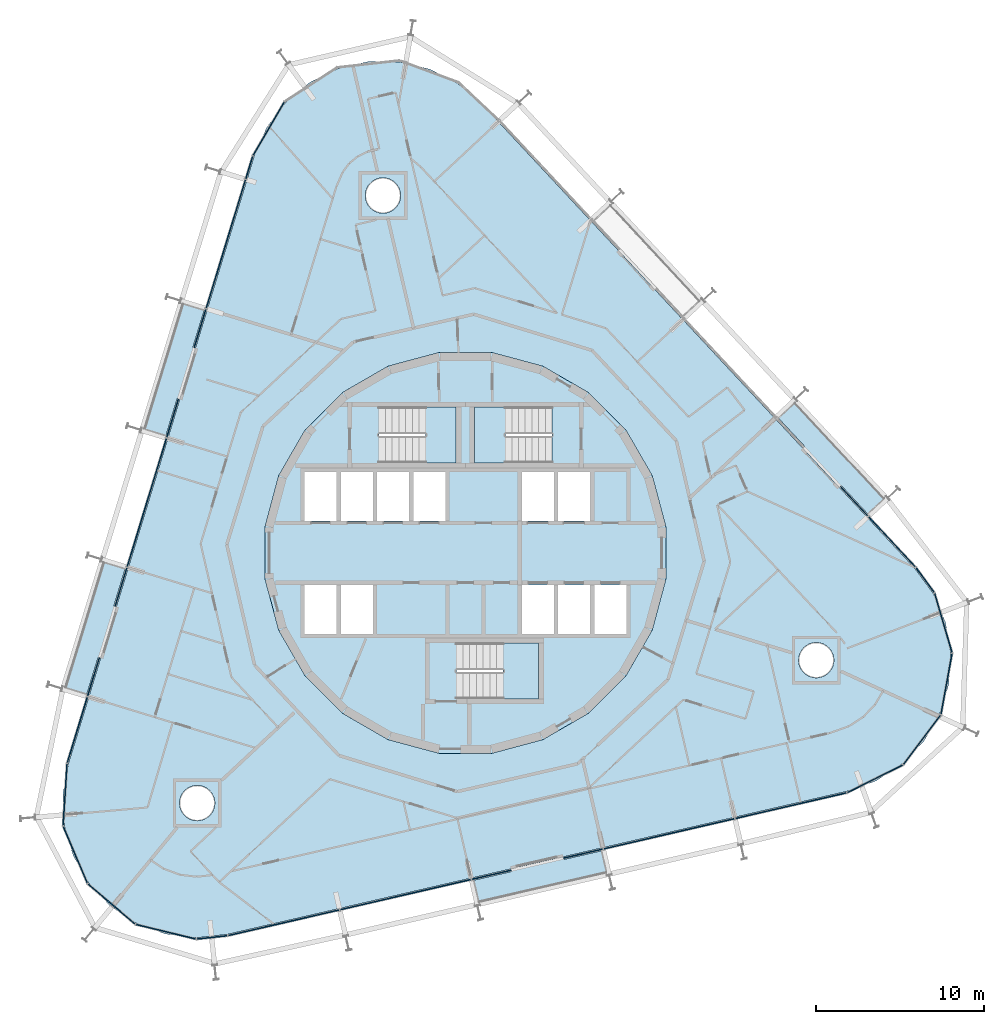
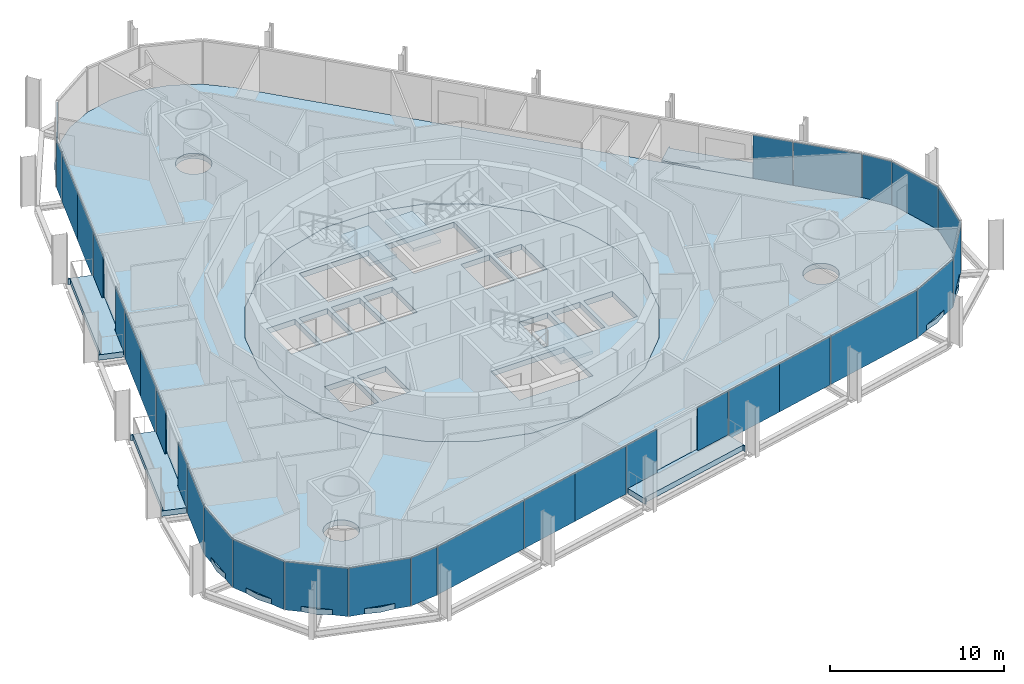
# One storey, part 10 of 18: 31 plates, 9 slabs, 9 elements without a shape of their own.
"""IFC4 building model written with IfcOpenShell, lengths in metres."""

from ifc_helpers import new_model, si_unit, direction, frame, origin, origin_2d, place, context, subcontext, project, spatial, polyline, rectangle, outline, extrude, material, layer, layer_set, type_object, element, aggregate, save


model = new_model("IFC4")

# Units and contexts
model_context = context("Model", 3, precision=1e-05, world=origin(), true_north=direction((0.0, 1.0)))
body_context = subcontext(model_context, "Body", "Model", "MODEL_VIEW")
ifc_project = project(units=[si_unit("LENGTHUNIT", "METRE"), si_unit("AREAUNIT", "SQUARE_METRE"), si_unit("VOLUMEUNIT", "CUBIC_METRE"), si_unit("PLANEANGLEUNIT", "RADIAN"), si_unit("MASSUNIT", "GRAM", prefix="KILO")], contexts=[model_context])

# Site, building, storey
site_placement = place(None, origin())
site = spatial("IfcSite", under=ifc_project, at=site_placement, CompositionType="ELEMENT")
building_placement = place(site_placement, origin())
building = spatial("IfcBuilding", under=site, at=building_placement, Name="Spindle Arch Residences", CompositionType="ELEMENT")
storey_placement = place(building_placement, frame((0.0, 0.0, 123.89990234375)))
storey = spatial("IfcBuildingStorey", under=building, at=storey_placement, Name="L30", CompositionType="ELEMENT", Elevation=123.89990234375)

# Slabs
ifc_material_1 = material(Name="Concrete C40/50", Category="concrete")
ifc_layer_1 = layer(ifc_material_1, 0.3798828125)
ifc_layer_set_1 = layer_set([ifc_layer_1], Name="Balcony slab 380")
slab_type_1 = type_object("IfcSlabType", Name="Balcony slab 380", PredefinedType="FLOOR", material=ifc_layer_set_1)
slab_1_placement = place(storey_placement, frame((0.0, 0.0, -0.3798828125)))
element("IfcSlab", 1, at=slab_1_placement, inside=storey, type_object=slab_type_1, Name="Balcony L30 bay 6", PredefinedType="FLOOR", context=body_context, shape_type="SweptSolid", body=[
    extrude(outline(polyline([(25.0107421875, 3.298095703125), (24.95947265625, 3.35302734375), (24.849853515625, 3.250732421875), (19.57861328125, 8.9033203125), (19.688232421875, 9.005615234375), (19.636962890625, 9.060546875), (18.54736328125, 8.04443359375), (20.142822265625, 6.333251953125), (20.02587890625, 6.22412109375), (22.208251953125, 3.8837890625), (22.325439453125, 3.992919921875), (23.9208984375, 2.281982421875), (25.0107421875, 3.298095703125)])), origin(), (0.0, 0.0, 1.0), 0.3798828125),
])
slab_2_placement = place(storey_placement, frame((0.0, 0.0, -0.3798828125)))
element("IfcSlab", 2, at=slab_2_placement, inside=storey, type_object=slab_type_1, Name="Balcony L30 bay 14", PredefinedType="FLOOR", context=body_context, shape_type="SweptSolid", body=[
    extrude(outline(polyline([(-16.926513671875, 14.891845703125), (-16.948486328125, 14.820068359375), (-16.804931640625, 14.7763671875), (-19.064697265625, 7.385009765625), (-19.208251953125, 7.4287109375), (-19.230224609375, 7.35693359375), (-17.80517578125, 6.92138671875), (-17.121337890625, 9.15869140625), (-16.96826171875, 9.112060546875), (-16.03271484375, 12.172119140625), (-16.185791015625, 12.218994140625), (-15.501708984375, 14.456298828125), (-16.926513671875, 14.891845703125)])), origin(), (0.0, 0.0, 1.0), 0.3798828125),
])
slab_3_placement = place(storey_placement, frame((0.0, 0.0, -0.3798828125)))
element("IfcSlab", 3, at=slab_3_placement, inside=storey, type_object=slab_type_1, Name="Balcony L30 bay 16", PredefinedType="FLOOR", context=body_context, shape_type="SweptSolid", body=[
    extrude(outline(polyline([(-21.62158203125, -0.46484375), (-21.6435546875, -0.536376953125), (-21.5, -0.580322265625), (-23.759765625, -7.9716796875), (-23.9033203125, -7.927978515625), (-23.92529296875, -7.999755859375), (-22.500244140625, -8.435302734375), (-21.816162109375, -6.197998046875), (-21.663330078125, -6.24462890625), (-20.727783203125, -3.1845703125), (-20.880615234375, -3.1376953125), (-20.196533203125, -0.900390625), (-21.62158203125, -0.46484375)])), origin(), (0.0, 0.0, 1.0), 0.3798828125),
])
slab_4_placement = place(storey_placement, frame((0.0, 0.0, -0.3798828125)))
element("IfcSlab", 4, at=slab_4_placement, inside=storey, type_object=slab_type_1, Name="Balcony L30 bay 22", PredefinedType="FLOOR", context=body_context, shape_type="SweptSolid", body=[
    extrude(outline(polyline([(0.781982421875, -20.900634765625), (0.855224609375, -20.8837890625), (0.821533203125, -20.737548828125), (8.3525390625, -18.9990234375), (8.38623046875, -19.14501953125), (8.459228515625, -19.128173828125), (8.1240234375, -17.676513671875), (5.844482421875, -18.20263671875), (5.80859375, -18.046875), (2.6904296875, -18.7666015625), (2.7265625, -18.922607421875), (0.447021484375, -19.44873046875), (0.781982421875, -20.900634765625)])), origin(), (0.0, 0.0, 1.0), 0.3798828125),
])
ifc_material_2 = material(Name="Concrete C50/60", Category="concrete")
ifc_layer_2 = layer(ifc_material_2, 0.3798828125)
ifc_layer_set_2 = layer_set([ifc_layer_2], Name="Core floor slab 380")
slab_type_2 = type_object("IfcSlabType", Name="Core floor slab 380", PredefinedType="FLOOR", material=ifc_layer_set_2)
slab_5_placement = place(storey_placement, frame((0.0, 0.0, -0.3798828125)))
element("IfcSlab", 5, at=slab_5_placement, inside=storey, type_object=slab_type_2, Name="Core floor L30", PredefinedType="FLOOR", context=body_context, shape_type="SweptSolid", body=[
    extrude(outline(polyline([(1.56640625, -11.897216796875), (4.59228515625, -11.086669921875), (7.30517578125, -9.520263671875), (9.520263671875, -7.30517578125), (11.086669921875, -4.59228515625), (11.897216796875, -1.56640625), (11.897216796875, 1.56640625), (11.086669921875, 4.59228515625), (9.520263671875, 7.30517578125), (7.30517578125, 9.520263671875), (4.59228515625, 11.086669921875), (1.56640625, 11.897216796875), (-1.56640625, 11.897216796875), (-4.59228515625, 11.086669921875), (-7.30517578125, 9.520263671875), (-9.520263671875, 7.30517578125), (-11.086669921875, 4.59228515625), (-11.897216796875, 1.56640625), (-11.897216796875, -1.56640625), (-11.086669921875, -4.59228515625), (-9.520263671875, -7.30517578125), (-7.30517578125, -9.520263671875), (-4.59228515625, -11.086669921875), (-1.56640625, -11.897216796875), (1.56640625, -11.897216796875)]), holes=[polyline([(-9.550048828125, 1.89990234375), (-7.64990234375, 1.89990234375), (-7.64990234375, 4.800048828125), (-9.550048828125, 4.800048828125), (-9.550048828125, 1.89990234375)]), polyline([(-7.39990234375, 1.89990234375), (-5.5, 1.89990234375), (-5.5, 4.800048828125), (-7.39990234375, 4.800048828125), (-7.39990234375, 1.89990234375)]), polyline([(-5.25, 1.89990234375), (-3.35009765625, 1.89990234375), (-3.35009765625, 4.800048828125), (-5.25, 4.800048828125), (-5.25, 1.89990234375)]), polyline([(-3.10009765625, 1.89990234375), (-1.199951171875, 1.89990234375), (-1.199951171875, 4.800048828125), (-3.10009765625, 4.800048828125), (-3.10009765625, 1.89990234375)]), polyline([(3.35009765625, 1.89990234375), (5.25, 1.89990234375), (5.25, 4.800048828125), (3.35009765625, 4.800048828125), (3.35009765625, 1.89990234375)]), polyline([(5.5, 1.89990234375), (7.39990234375, 1.89990234375), (7.39990234375, 4.800048828125), (5.5, 4.800048828125), (5.5, 1.89990234375)]), polyline([(-9.550048828125, -4.800048828125), (-7.64990234375, -4.800048828125), (-7.64990234375, -1.89990234375), (-9.550048828125, -1.89990234375), (-9.550048828125, -4.800048828125)]), polyline([(-7.39990234375, -4.800048828125), (-5.5, -4.800048828125), (-5.5, -1.89990234375), (-7.39990234375, -1.89990234375), (-7.39990234375, -4.800048828125)]), polyline([(3.35009765625, -4.800048828125), (5.25, -4.800048828125), (5.25, -1.89990234375), (3.35009765625, -1.89990234375), (3.35009765625, -4.800048828125)]), polyline([(5.5, -4.800048828125), (7.39990234375, -4.800048828125), (7.39990234375, -1.89990234375), (5.5, -1.89990234375), (5.5, -4.800048828125)]), polyline([(7.64990234375, -4.800048828125), (9.550048828125, -4.800048828125), (9.550048828125, -1.89990234375), (7.64990234375, -1.89990234375), (7.64990234375, -4.800048828125)]), polyline([(5.1298828125, 8.669921875), (0.550048828125, 8.669921875), (0.550048828125, 5.35009765625), (5.1298828125, 5.35009765625), (5.1298828125, 8.669921875)]), polyline([(-5.1298828125, 5.35009765625), (-0.550048828125, 5.35009765625), (-0.550048828125, 8.669921875), (-5.1298828125, 8.669921875), (-5.1298828125, 5.35009765625)]), polyline([(-0.530029296875, -8.669921875), (4.35009765625, -8.669921875), (4.35009765625, -5.35009765625), (-0.530029296875, -5.35009765625), (-0.530029296875, -8.669921875)])]), origin(), (0.0, 0.0, 1.0), 0.3798828125),
])

# Stair, slab
ifc_material_3 = material(Name="Concrete C50/60", Category="concrete")
stair_type = type_object("IfcStairType", Name="Exit stair 16 risers", PredefinedType="HALF_TURN_STAIR", material=ifc_material_3)
stair_1_placement = place(storey_placement, origin())
stair_1 = element("IfcStair", 6, at=stair_1_placement, inside=storey, type_object=stair_type, Name="L30 Exit stair ST1", PredefinedType="HALF_TURN_STAIR")
ifc_material_4 = material(Name="Concrete C50/60", Category="concrete")
ifc_layer_3 = layer(ifc_material_4, 0.219970703125)
ifc_layer_set_3 = layer_set([ifc_layer_3], Name="Exit stair landing 220")
slab_type_3 = type_object("IfcSlabType", Name="Exit stair landing 220", PredefinedType="LANDING", material=ifc_layer_set_3)
slab_6_placement = place(storey_placement, frame((0.0, 0.0, 1.530029296875)))
slab_6 = element("IfcSlab", 7, at=slab_6_placement, type_object=slab_type_3, Name="ST1 landing 1", PredefinedType="LANDING", context=body_context, shape_type="SweptSolid", body=[
    extrude(outline(polyline([(2.3701171875, 8.669921875), (0.550048828125, 8.669921875), (0.550048828125, 5.35009765625), (2.3701171875, 5.35009765625), (2.3701171875, 8.669921875)])), origin(), (0.0, 0.0, 1.0), 0.219970703125),
])
aggregate(stair_1, [slab_6])

stair_2_placement = place(storey_placement, origin())
stair_2 = element("IfcStair", 8, at=stair_2_placement, inside=storey, type_object=stair_type, Name="L30 Exit stair ST2", PredefinedType="HALF_TURN_STAIR")
slab_7_placement = place(storey_placement, frame((0.0, 0.0, 1.530029296875)))
slab_7 = element("IfcSlab", 9, at=slab_7_placement, type_object=slab_type_3, Name="ST2 landing 1", PredefinedType="LANDING", context=body_context, shape_type="SweptSolid", body=[
    extrude(outline(polyline([(-2.3701171875, 5.35009765625), (-0.550048828125, 5.35009765625), (-0.550048828125, 8.669921875), (-2.3701171875, 8.669921875), (-2.3701171875, 5.35009765625)])), origin(), (0.0, 0.0, 1.0), 0.219970703125),
])
aggregate(stair_2, [slab_7])

stair_3_placement = place(storey_placement, origin())
stair_3 = element("IfcStair", 10, at=stair_3_placement, inside=storey, type_object=stair_type, Name="L30 Exit stair ST3", PredefinedType="HALF_TURN_STAIR")
slab_8_placement = place(storey_placement, frame((0.0, 0.0, 1.530029296875)))
slab_8 = element("IfcSlab", 11, at=slab_8_placement, type_object=slab_type_3, Name="ST3 landing 1", PredefinedType="LANDING", context=body_context, shape_type="SweptSolid", body=[
    extrude(outline(polyline([(2.22998046875, -8.669921875), (4.35009765625, -8.669921875), (4.35009765625, -5.35009765625), (2.22998046875, -5.35009765625), (2.22998046875, -8.669921875)])), origin(), (0.0, 0.0, 1.0), 0.219970703125),
])
aggregate(stair_3, [slab_8])

# Slab
ifc_material_5 = material(Name="Concrete C40/50", Category="concrete")
ifc_layer_4 = layer(ifc_material_5, 0.3798828125)
ifc_layer_set_4 = layer_set([ifc_layer_4], Name="Floor slab 380")
slab_type_4 = type_object("IfcSlabType", Name="Floor slab 380", PredefinedType="FLOOR", material=ifc_layer_set_4)
slab_9_placement = place(storey_placement, frame((0.0, 0.0, -0.3798828125)))
element("IfcSlab", 12, at=slab_9_placement, inside=storey, type_object=slab_type_4, Name="Floor slab L30", PredefinedType="FLOOR", context=body_context, shape_type="SweptSolid", body=[
    extrude(outline(polyline([(-15.976806640625, -22.85498046875), (-17.8203125, -22.628662109375), (-19.56201171875, -21.983154296875), (-21.108154296875, -20.95361328125), (-22.375, -19.594970703125), (-23.294189453125, -17.98095703125), (-23.816650390625, -16.198486328125), (-23.913818359375, -14.343505859375), (-23.58056640625, -12.51611328125), (-12.55029296875, 23.5625), (-11.8046875, 25.263916015625), (-10.686767578125, 26.747314453125), (-9.257080078125, 27.932861328125), (-7.59228515625, 28.7568359375), (-5.7822265625, 29.1748046875), (-3.9248046875, 29.163818359375), (-2.1201171875, 28.72509765625), (-0.465087890625, 27.881591796875), (0.950927734375, 26.679443359375), (26.680908203125, -0.912353515625), (27.781494140625, -2.40869140625), (28.507080078125, -4.11865234375), (28.819091796875, -5.94970703125), (28.7001953125, -7.803466796875), (28.1572265625, -9.57958984375), (27.218994140625, -11.182861328125), (25.9365234375, -12.526611328125), (24.37890625, -13.5380859375), (22.629638671875, -14.163330078125), (4.24951171875, -18.40673828125), (-14.130615234375, -22.650146484375), (-15.976806640625, -22.85498046875)]), holes=[polyline([(7.30517578125, -9.520263671875), (9.520263671875, -7.30517578125), (11.086669921875, -4.59228515625), (11.897216796875, -1.56640625), (11.897216796875, 1.56640625), (11.086669921875, 4.59228515625), (9.520263671875, 7.30517578125), (7.30517578125, 9.520263671875), (4.59228515625, 11.086669921875), (1.56640625, 11.897216796875), (-1.56640625, 11.897216796875), (-4.59228515625, 11.086669921875), (-7.30517578125, 9.520263671875), (-9.520263671875, 7.30517578125), (-11.086669921875, 4.59228515625), (-11.897216796875, 1.56640625), (-11.897216796875, -1.56640625), (-11.086669921875, -4.59228515625), (-9.520263671875, -7.30517578125), (-7.30517578125, -9.520263671875), (-4.59228515625, -11.086669921875), (-1.56640625, -11.897216796875), (1.56640625, -11.897216796875), (4.59228515625, -11.086669921875), (7.30517578125, -9.520263671875)]), polyline([(-15.187744140625, -15.59765625), (-15.05712890625, -15.4384765625), (-14.960205078125, -15.257080078125), (-14.900390625, -15.06005859375), (-14.880126953125, -14.855224609375), (-14.900390625, -14.650390625), (-14.960205078125, -14.453369140625), (-15.05712890625, -14.27197265625), (-15.187744140625, -14.11279296875), (-15.346923828125, -13.982177734375), (-15.5283203125, -13.885009765625), (-15.725341796875, -13.825439453125), (-15.93017578125, -13.80517578125), (-16.135009765625, -13.825439453125), (-16.33203125, -13.885009765625), (-16.513427734375, -13.982177734375), (-16.672607421875, -14.11279296875), (-16.80322265625, -14.27197265625), (-16.900390625, -14.453369140625), (-16.9599609375, -14.650390625), (-16.980224609375, -14.855224609375), (-16.9599609375, -15.06005859375), (-16.900390625, -15.257080078125), (-16.80322265625, -15.4384765625), (-16.672607421875, -15.59765625), (-16.513427734375, -15.728271484375), (-16.33203125, -15.8251953125), (-16.135009765625, -15.885009765625), (-15.93017578125, -15.9052734375), (-15.725341796875, -15.885009765625), (-15.5283203125, -15.8251953125), (-15.346923828125, -15.728271484375), (-15.187744140625, -15.59765625)]), polyline([(-4.02685546875, 20.64013671875), (-3.9296875, 20.82177734375), (-3.8701171875, 21.018798828125), (-3.849853515625, 21.223388671875), (-3.8701171875, 21.42822265625), (-3.9296875, 21.625244140625), (-4.02685546875, 21.806884765625), (-4.1572265625, 21.966064453125), (-4.31640625, 22.096435546875), (-4.498046875, 22.193603515625), (-4.695068359375, 22.25341796875), (-4.89990234375, 22.2734375), (-5.1044921875, 22.25341796875), (-5.301513671875, 22.193603515625), (-5.483154296875, 22.096435546875), (-5.642333984375, 21.966064453125), (-5.772705078125, 21.806884765625), (-5.869873046875, 21.625244140625), (-5.9296875, 21.42822265625), (-5.94970703125, 21.223388671875), (-5.9296875, 21.018798828125), (-5.869873046875, 20.82177734375), (-5.772705078125, 20.64013671875), (-5.642333984375, 20.48095703125), (-5.483154296875, 20.3505859375), (-5.301513671875, 20.25341796875), (-5.1044921875, 20.193603515625), (-4.89990234375, 20.173583984375), (-4.695068359375, 20.193603515625), (-4.498046875, 20.25341796875), (-4.31640625, 20.3505859375), (-4.1572265625, 20.48095703125), (-4.02685546875, 20.64013671875)]), polyline([(21.702880859375, -6.95166015625), (21.800048828125, -6.770263671875), (21.85986328125, -6.5732421875), (21.8798828125, -6.368408203125), (21.85986328125, -6.16357421875), (21.800048828125, -5.966552734375), (21.702880859375, -5.78515625), (21.572509765625, -5.6259765625), (21.413330078125, -5.495361328125), (21.231689453125, -5.398193359375), (21.034912109375, -5.338623046875), (20.830078125, -5.318359375), (20.625244140625, -5.338623046875), (20.42822265625, -5.398193359375), (20.24658203125, -5.495361328125), (20.08740234375, -5.6259765625), (19.95703125, -5.78515625), (19.85986328125, -5.966552734375), (19.80029296875, -6.16357421875), (19.780029296875, -6.368408203125), (19.80029296875, -6.5732421875), (19.85986328125, -6.770263671875), (19.95703125, -6.95166015625), (20.08740234375, -7.11083984375), (20.24658203125, -7.241455078125), (20.42822265625, -7.33837890625), (20.625244140625, -7.398193359375), (20.830078125, -7.41845703125), (21.034912109375, -7.398193359375), (21.231689453125, -7.33837890625), (21.413330078125, -7.241455078125), (21.572509765625, -7.11083984375), (21.702880859375, -6.95166015625)])]), origin(), (0.0, 0.0, 1.0), 0.3798828125),
])

# Curtain wall, plates
ifc_material_6 = material(Name="Aluminium bronze unitised frame with tinted glass", Category="aluminium")
ifc_layer_5 = layer(ifc_material_6, 0.159912109375)
ifc_layer_set_5 = layer_set([ifc_layer_5], Name="CW-D corner wall on the fillet arcs")
curtain_wall_type_1 = type_object("IfcCurtainWallType", Name="CW-D corner wall on the fillet arcs", PredefinedType="NOTDEFINED", material=ifc_layer_set_5)
curtain_wall_1_placement = place(storey_placement, origin())
curtain_wall_1 = element("IfcCurtainWall", 13, at=curtain_wall_1_placement, inside=storey, type_object=curtain_wall_type_1, Name="CW-D L30 run 1", PredefinedType="NOTDEFINED")
ifc_material_7 = material(Name="Tinted double glazing over aluminium faced non-combustible spandrel zone (K0)", Category="aluminium")
ifc_layer_6 = layer(ifc_material_7, 0.06005859375)
ifc_layer_set_6 = layer_set([ifc_layer_6], Name="Unitised glass panel with E 60 spandrel zone")
plate_type = type_object("IfcPlateType", Name="Unitised glass panel with E 60 spandrel zone", PredefinedType="CURTAIN_PANEL", material=ifc_layer_set_6)
plate_1_placement = place(storey_placement, frame((19.3251953125, -15.00830078125, -0.3798828125), z_axis=(0.0, 0.0, 1.0), x_axis=(0.974370064785, 0.224951054344, 0.0)))
plate_1 = element("IfcPlate", 14, at=plate_1_placement, type_object=plate_type, Name="CW-D unit 00", PredefinedType="CURTAIN_PANEL", context=body_context, shape_type="SweptSolid", body=[
    extrude(rectangle(XDim=6.759765625, YDim=0.06005859375, at=origin_2d()), origin(), (0.0, 0.0, 1.0), 3.3798828125),
])
plate_2_placement = place(storey_placement, frame((24.317626953125, -13.414794921875, -0.3798828125), z_axis=(0.0, 0.0, 1.0), x_axis=(0.896228507614, 0.443592675931, 0.0)))
plate_2 = element("IfcPlate", 15, at=plate_2_placement, type_object=plate_type, Name="CW-D unit 01", PredefinedType="CURTAIN_PANEL", context=body_context, shape_type="SweptSolid", body=[
    extrude(rectangle(XDim=3.666748046875, YDim=0.06005859375, at=origin_2d()), origin(), (0.0, 0.0, 1.0), 3.3798828125),
])
plate_3_placement = place(storey_placement, frame((27.109130859375, -11.099853515625, -0.3798828125), z_axis=(0.0, 0.0, 1.0), x_axis=(0.601815021814, 0.798635511056, 0.0)))
plate_3 = element("IfcPlate", 16, at=plate_3_placement, type_object=plate_type, Name="CW-D unit 02", PredefinedType="CURTAIN_PANEL", context=body_context, shape_type="SweptSolid", body=[
    extrude(rectangle(XDim=3.666748046875, YDim=0.06005859375, at=origin_2d()), origin(), (0.0, 0.0, 1.0), 3.3798828125),
])
plate_4_placement = place(storey_placement, frame((28.564697265625, -7.778564453125, -0.3798828125), z_axis=(0.0, 0.0, 1.0), x_axis=(0.17937458782, 0.983780848179, 0.0)))
plate_4 = element("IfcPlate", 17, at=plate_4_placement, type_object=plate_type, Name="CW-D unit 03", PredefinedType="CURTAIN_PANEL", context=body_context, shape_type="SweptSolid", body=[
    extrude(rectangle(XDim=3.666748046875, YDim=0.06005859375, at=origin_2d()), origin(), (0.0, 0.0, 1.0), 3.3798828125),
])
plate_5_placement = place(storey_placement, frame((28.375, -4.1572265625, -0.3798828125), z_axis=(0.0, 0.0, 1.0), x_axis=(-0.281225052549, 0.959641844554, 0.0)))
plate_5 = element("IfcPlate", 18, at=plate_5_placement, type_object=plate_type, Name="CW-D unit 04", PredefinedType="CURTAIN_PANEL", context=body_context, shape_type="SweptSolid", body=[
    extrude(rectangle(XDim=3.666748046875, YDim=0.06005859375, at=origin_2d()), origin(), (0.0, 0.0, 1.0), 3.3798828125),
])
plate_6_placement = place(storey_placement, frame((27.295166015625, -1.613525390625, -0.3798828125), z_axis=(0.0, 0.0, 1.0), x_axis=(-0.592481951039, 0.805583724819, 0.0)))
plate_6 = element("IfcPlate", 19, at=plate_6_placement, type_object=plate_type, Name="CW-D unit 05", PredefinedType="CURTAIN_PANEL", context=body_context, shape_type="SweptSolid", body=[
    extrude(rectangle(XDim=1.816162109375, YDim=0.06005859375, at=origin_2d()), origin(), (0.0, 0.0, 1.0), 3.3798828125),
])
plate_7_placement = place(storey_placement, frame((25.326416015625, 0.6572265625, -0.3798828125), z_axis=(0.0, 0.0, 1.0), x_axis=(-0.681998360062, 0.731353701619, 0.0)))
plate_7 = element("IfcPlate", 20, at=plate_7_placement, type_object=plate_type, Name="CW-D unit 06", PredefinedType="CURTAIN_PANEL", context=body_context, shape_type="SweptSolid", body=[
    extrude(rectangle(XDim=4.08349609375, YDim=0.06005859375, at=origin_2d()), origin(), (0.0, 0.0, 1.0), 3.3798828125),
])
aggregate(curtain_wall_1, [plate_1, plate_2, plate_3, plate_4, plate_5, plate_6, plate_7])

# Curtain wall, plate
ifc_material_8 = material(Name="Aluminium bronze unitised frame with tinted glass", Category="aluminium")
ifc_layer_7 = layer(ifc_material_8, 0.159912109375)
ifc_layer_set_7 = layer_set([ifc_layer_7], Name="CW-C typical residential unitised wall")
curtain_wall_type_2 = type_object("IfcCurtainWallType", Name="CW-C typical residential unitised wall", PredefinedType="NOTDEFINED", material=ifc_layer_set_7)
curtain_wall_2_placement = place(storey_placement, origin())
curtain_wall_2 = element("IfcCurtainWall", 21, at=curtain_wall_2_placement, inside=storey, type_object=curtain_wall_type_2, Name="CW-C L30 run 2", PredefinedType="NOTDEFINED")
plate_8_placement = place(storey_placement, frame((23.079833984375, 3.06640625, -0.3798828125), z_axis=(0.0, 0.0, 1.0), x_axis=(-0.681998360062, 0.731353701619, 0.0)))
plate_8 = element("IfcPlate", 22, at=plate_8_placement, type_object=plate_type, Name="CW-C unit 05L", PredefinedType="CURTAIN_PANEL", context=body_context, shape_type="SweptSolid", body=[
    extrude(rectangle(XDim=2.384521484375, YDim=0.06005859375, at=origin_2d()), origin(), (0.0, 0.0, 1.0), 3.3798828125),
])
aggregate(curtain_wall_2, [plate_8])

# Curtain wall, plates
curtain_wall_3_placement = place(storey_placement, origin())
curtain_wall_3 = element("IfcCurtainWall", 23, at=curtain_wall_3_placement, inside=storey, type_object=curtain_wall_type_1, Name="CW-D L30 run 3", PredefinedType="NOTDEFINED")
plate_9_placement = place(storey_placement, frame((-11.685791015625, 25.194091796875, -0.3798828125), z_axis=(0.0, 0.0, 1.0), x_axis=(-0.505029844161, -0.863101880723, 0.0)))
plate_9 = element("IfcPlate", 24, at=plate_9_placement, type_object=plate_type, Name="CW-D unit 04", PredefinedType="CURTAIN_PANEL", context=body_context, shape_type="SweptSolid", body=[
    extrude(rectangle(XDim=3.666748046875, YDim=0.06005859375, at=origin_2d()), origin(), (0.0, 0.0, 1.0), 3.3798828125),
])
plate_10_placement = place(storey_placement, frame((-12.84130859375, 22.884521484375, -0.3798828125), z_axis=(0.0, 0.0, 1.0), x_axis=(-0.292371704723, -0.956304755963, 0.0)))
plate_10 = element("IfcPlate", 25, at=plate_10_placement, type_object=plate_type, Name="CW-D unit 05", PredefinedType="CURTAIN_PANEL", context=body_context, shape_type="SweptSolid", body=[
    extrude(rectangle(XDim=1.406982421875, YDim=0.06005859375, at=origin_2d()), origin(), (0.0, 0.0, 1.0), 3.3798828125),
])
aggregate(curtain_wall_3, [plate_9, plate_10])

curtain_wall_4_placement = place(storey_placement, origin())
curtain_wall_4 = element("IfcCurtainWall", 26, at=curtain_wall_4_placement, inside=storey, type_object=curtain_wall_type_2, Name="CW-C L30 run 4", PredefinedType="NOTDEFINED")
plate_11_placement = place(storey_placement, frame((-13.64697265625, 20.2490234375, -0.3798828125), z_axis=(0.0, 0.0, 1.0), x_axis=(-0.292371704723, -0.956304755963, 0.0)))
plate_11 = element("IfcPlate", 27, at=plate_11_placement, type_object=plate_type, Name="CW-C unit 12A", PredefinedType="CURTAIN_PANEL", context=body_context, shape_type="SweptSolid", body=[
    extrude(rectangle(XDim=3.984619140625, YDim=0.06005859375, at=origin_2d()), origin(), (0.0, 0.0, 1.0), 3.3798828125),
])
plate_12_placement = place(storey_placement, frame((-14.81201171875, 16.4384765625, -0.3798828125), z_axis=(0.0, 0.0, 1.0), x_axis=(-0.292371704723, -0.956304755963, 0.0)))
plate_12 = element("IfcPlate", 28, at=plate_12_placement, type_object=plate_type, Name="CW-C unit 12B", PredefinedType="CURTAIN_PANEL", context=body_context, shape_type="SweptSolid", body=[
    extrude(rectangle(XDim=3.984619140625, YDim=0.06005859375, at=origin_2d()), origin(), (0.0, 0.0, 1.0), 3.3798828125),
])
plate_13_placement = place(storey_placement, frame((-15.760498046875, 13.335693359375, -0.3798828125), z_axis=(0.0, 0.0, 1.0), x_axis=(-0.292371704723, -0.956304755963, 0.0)))
plate_13 = element("IfcPlate", 29, at=plate_13_placement, type_object=plate_type, Name="CW-C unit 13L", PredefinedType="CURTAIN_PANEL", context=body_context, shape_type="SweptSolid", body=[
    extrude(rectangle(XDim=2.384521484375, YDim=0.06005859375, at=origin_2d()), origin(), (0.0, 0.0, 1.0), 3.3798828125),
])
plate_14_placement = place(storey_placement, frame((-17.393310546875, 7.9951171875, -0.3798828125), z_axis=(0.0, 0.0, 1.0), x_axis=(-0.292371704723, -0.956304755963, 0.0)))
plate_14 = element("IfcPlate", 30, at=plate_14_placement, type_object=plate_type, Name="CW-C unit 13R", PredefinedType="CURTAIN_PANEL", context=body_context, shape_type="SweptSolid", body=[
    extrude(rectangle(XDim=2.384521484375, YDim=0.06005859375, at=origin_2d()), origin(), (0.0, 0.0, 1.0), 3.3798828125),
])
plate_15_placement = place(storey_placement, frame((-18.342041015625, 4.892333984375, -0.3798828125), z_axis=(0.0, 0.0, 1.0), x_axis=(-0.292371704723, -0.956304755963, 0.0)))
plate_15 = element("IfcPlate", 31, at=plate_15_placement, type_object=plate_type, Name="CW-C unit 14A", PredefinedType="CURTAIN_PANEL", context=body_context, shape_type="SweptSolid", body=[
    extrude(rectangle(XDim=3.984619140625, YDim=0.06005859375, at=origin_2d()), origin(), (0.0, 0.0, 1.0), 3.3798828125),
])
plate_16_placement = place(storey_placement, frame((-19.5068359375, 1.081787109375, -0.3798828125), z_axis=(0.0, 0.0, 1.0), x_axis=(-0.292371704723, -0.956304755963, 0.0)))
plate_16 = element("IfcPlate", 32, at=plate_16_placement, type_object=plate_type, Name="CW-C unit 14B", PredefinedType="CURTAIN_PANEL", context=body_context, shape_type="SweptSolid", body=[
    extrude(rectangle(XDim=3.984619140625, YDim=0.06005859375, at=origin_2d()), origin(), (0.0, 0.0, 1.0), 3.3798828125),
])
plate_17_placement = place(storey_placement, frame((-20.45556640625, -2.02099609375, -0.3798828125), z_axis=(0.0, 0.0, 1.0), x_axis=(-0.292371704723, -0.956304755963, 0.0)))
plate_17 = element("IfcPlate", 33, at=plate_17_placement, type_object=plate_type, Name="CW-C unit 15L", PredefinedType="CURTAIN_PANEL", context=body_context, shape_type="SweptSolid", body=[
    extrude(rectangle(XDim=2.384521484375, YDim=0.06005859375, at=origin_2d()), origin(), (0.0, 0.0, 1.0), 3.3798828125),
])
plate_18_placement = place(storey_placement, frame((-22.08837890625, -7.361572265625, -0.3798828125), z_axis=(0.0, 0.0, 1.0), x_axis=(-0.292371704723, -0.956304755963, 0.0)))
plate_18 = element("IfcPlate", 34, at=plate_18_placement, type_object=plate_type, Name="CW-C unit 15R", PredefinedType="CURTAIN_PANEL", context=body_context, shape_type="SweptSolid", body=[
    extrude(rectangle(XDim=2.384521484375, YDim=0.06005859375, at=origin_2d()), origin(), (0.0, 0.0, 1.0), 3.3798828125),
])
aggregate(curtain_wall_4, [plate_11, plate_12, plate_13, plate_14, plate_15, plate_16, plate_17, plate_18])

curtain_wall_5_placement = place(storey_placement, origin())
curtain_wall_5 = element("IfcCurtainWall", 35, at=curtain_wall_5_placement, inside=storey, type_object=curtain_wall_type_1, Name="CW-D L30 run 5", PredefinedType="NOTDEFINED")
plate_19_placement = place(storey_placement, frame((-23.051513671875, -10.511474609375, -0.3798828125), z_axis=(0.0, 0.0, 1.0), x_axis=(-0.292371704723, -0.956304755963, 0.0)))
plate_19 = element("IfcPlate", 36, at=plate_19_placement, type_object=plate_type, Name="CW-D unit 00", PredefinedType="CURTAIN_PANEL", context=body_context, shape_type="SweptSolid", body=[
    extrude(rectangle(XDim=4.08349609375, YDim=0.06005859375, at=origin_2d()), origin(), (0.0, 0.0, 1.0), 3.3798828125),
])
plate_20_placement = place(storey_placement, frame((-23.7763671875, -14.352294921875, -0.3798828125), z_axis=(0.0, 0.0, 1.0), x_axis=(-0.063951729226, -0.997952993046, 0.0)))
plate_20 = element("IfcPlate", 37, at=plate_20_placement, type_object=plate_type, Name="CW-D unit 01", PredefinedType="CURTAIN_PANEL", context=body_context, shape_type="SweptSolid", body=[
    extrude(rectangle(XDim=3.666748046875, YDim=0.06005859375, at=origin_2d()), origin(), (0.0, 0.0, 1.0), 3.3798828125),
])
plate_21_placement = place(storey_placement, frame((-23.16748046875, -17.92724609375, -0.3798828125), z_axis=(0.0, 0.0, 1.0), x_axis=(0.390731127124, -0.920504854032, 0.0)))
plate_21 = element("IfcPlate", 38, at=plate_21_placement, type_object=plate_type, Name="CW-D unit 02", PredefinedType="CURTAIN_PANEL", context=body_context, shape_type="SweptSolid", body=[
    extrude(rectangle(XDim=3.666748046875, YDim=0.06005859375, at=origin_2d()), origin(), (0.0, 0.0, 1.0), 3.3798828125),
])
plate_22_placement = place(storey_placement, frame((-21.018798828125, -20.848388671875, -0.3798828125), z_axis=(0.0, 0.0, 1.0), x_axis=(0.762291912042, -0.647233374321, 0.0)))
plate_22 = element("IfcPlate", 39, at=plate_22_placement, type_object=plate_type, Name="CW-D unit 03", PredefinedType="CURTAIN_PANEL", context=body_context, shape_type="SweptSolid", body=[
    extrude(rectangle(XDim=3.666748046875, YDim=0.06005859375, at=origin_2d()), origin(), (0.0, 0.0, 1.0), 3.3798828125),
])
plate_23_placement = place(storey_placement, frame((-17.787841796875, -22.49462890625, -0.3798828125), z_axis=(0.0, 0.0, 1.0), x_axis=(0.971686742139, -0.23627288281, 0.0)))
plate_23 = element("IfcPlate", 40, at=plate_23_placement, type_object=plate_type, Name="CW-D unit 04", PredefinedType="CURTAIN_PANEL", context=body_context, shape_type="SweptSolid", body=[
    extrude(rectangle(XDim=3.666748046875, YDim=0.06005859375, at=origin_2d()), origin(), (0.0, 0.0, 1.0), 3.3798828125),
])
plate_24_placement = place(storey_placement, frame((-15.044921875, -22.83154296875, -0.3798828125), z_axis=(0.0, 0.0, 1.0), x_axis=(0.993896946542, 0.110312554381, 0.0)))
plate_24 = element("IfcPlate", 41, at=plate_24_placement, type_object=plate_type, Name="CW-D unit 05", PredefinedType="CURTAIN_PANEL", context=body_context, shape_type="SweptSolid", body=[
    extrude(rectangle(XDim=1.816162109375, YDim=0.06005859375, at=origin_2d()), origin(), (0.0, 0.0, 1.0), 3.3798828125),
])
plate_25_placement = place(storey_placement, frame((-10.7900390625, -21.9609375, -0.3798828125), z_axis=(0.0, 0.0, 1.0), x_axis=(0.974370064785, 0.224951054344, 0.0)))
plate_25 = element("IfcPlate", 42, at=plate_25_placement, type_object=plate_type, Name="CW-D unit 06", PredefinedType="CURTAIN_PANEL", context=body_context, shape_type="SweptSolid", body=[
    extrude(rectangle(XDim=6.759765625, YDim=0.06005859375, at=origin_2d()), origin(), (0.0, 0.0, 1.0), 3.3798828125),
])
aggregate(curtain_wall_5, [plate_19, plate_20, plate_21, plate_22, plate_23, plate_24, plate_25])

curtain_wall_6_placement = place(storey_placement, origin())
curtain_wall_6 = element("IfcCurtainWall", 43, at=curtain_wall_6_placement, inside=storey, type_object=curtain_wall_type_2, Name="CW-C L30 run 6", PredefinedType="NOTDEFINED")
plate_26_placement = place(storey_placement, frame((-5.4970703125, -20.739013671875, -0.3798828125), z_axis=(0.0, 0.0, 1.0), x_axis=(0.974370064785, 0.224951054344, 0.0)))
plate_26 = element("IfcPlate", 44, at=plate_26_placement, type_object=plate_type, Name="CW-C unit 20A", PredefinedType="CURTAIN_PANEL", context=body_context, shape_type="SweptSolid", body=[
    extrude(rectangle(XDim=3.984619140625, YDim=0.06005859375, at=origin_2d()), origin(), (0.0, 0.0, 1.0), 3.3798828125),
])
plate_27_placement = place(storey_placement, frame((-1.61474609375, -19.8427734375, -0.3798828125), z_axis=(0.0, 0.0, 1.0), x_axis=(0.974370064785, 0.224951054344, 0.0)))
plate_27 = element("IfcPlate", 45, at=plate_27_placement, type_object=plate_type, Name="CW-C unit 20B", PredefinedType="CURTAIN_PANEL", context=body_context, shape_type="SweptSolid", body=[
    extrude(rectangle(XDim=3.984619140625, YDim=0.06005859375, at=origin_2d()), origin(), (0.0, 0.0, 1.0), 3.3798828125),
])
plate_28_placement = place(storey_placement, frame((1.546875, -19.11279296875, -0.3798828125), z_axis=(0.0, 0.0, 1.0), x_axis=(0.974370064785, 0.224951054344, 0.0)))
plate_28 = element("IfcPlate", 46, at=plate_28_placement, type_object=plate_type, Name="CW-C unit 21L", PredefinedType="CURTAIN_PANEL", context=body_context, shape_type="SweptSolid", body=[
    extrude(rectangle(XDim=2.384521484375, YDim=0.06005859375, at=origin_2d()), origin(), (0.0, 0.0, 1.0), 3.3798828125),
])
plate_29_placement = place(storey_placement, frame((6.98828125, -17.8564453125, -0.3798828125), z_axis=(0.0, 0.0, 1.0), x_axis=(0.974370064785, 0.224951054344, 0.0)))
plate_29 = element("IfcPlate", 47, at=plate_29_placement, type_object=plate_type, Name="CW-C unit 21R", PredefinedType="CURTAIN_PANEL", context=body_context, shape_type="SweptSolid", body=[
    extrude(rectangle(XDim=2.384521484375, YDim=0.06005859375, at=origin_2d()), origin(), (0.0, 0.0, 1.0), 3.3798828125),
])
plate_30_placement = place(storey_placement, frame((10.149658203125, -17.126708984375, -0.3798828125), z_axis=(0.0, 0.0, 1.0), x_axis=(0.974370064785, 0.224951054344, 0.0)))
plate_30 = element("IfcPlate", 48, at=plate_30_placement, type_object=plate_type, Name="CW-C unit 00A", PredefinedType="CURTAIN_PANEL", context=body_context, shape_type="SweptSolid", body=[
    extrude(rectangle(XDim=3.984619140625, YDim=0.06005859375, at=origin_2d()), origin(), (0.0, 0.0, 1.0), 3.3798828125),
])
plate_31_placement = place(storey_placement, frame((14.0322265625, -16.230224609375, -0.3798828125), z_axis=(0.0, 0.0, 1.0), x_axis=(0.974370064785, 0.224951054344, 0.0)))
plate_31 = element("IfcPlate", 49, at=plate_31_placement, type_object=plate_type, Name="CW-C unit 00B", PredefinedType="CURTAIN_PANEL", context=body_context, shape_type="SweptSolid", body=[
    extrude(rectangle(XDim=3.984619140625, YDim=0.06005859375, at=origin_2d()), origin(), (0.0, 0.0, 1.0), 3.3798828125),
])
aggregate(curtain_wall_6, [plate_26, plate_27, plate_28, plate_29, plate_30, plate_31])

save(model, "model.ifc")
